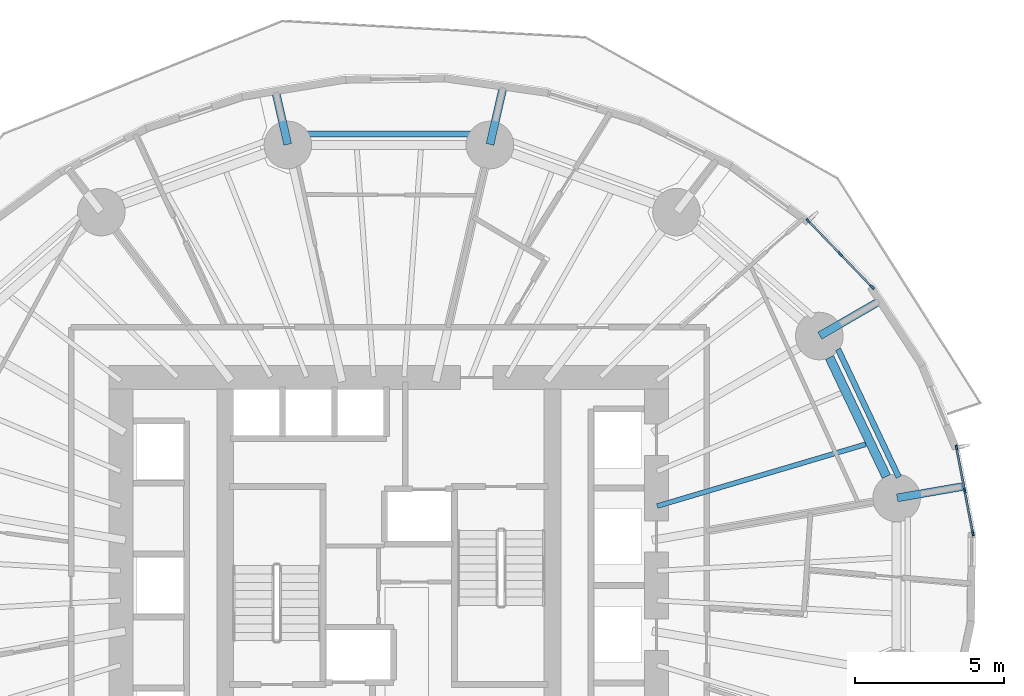
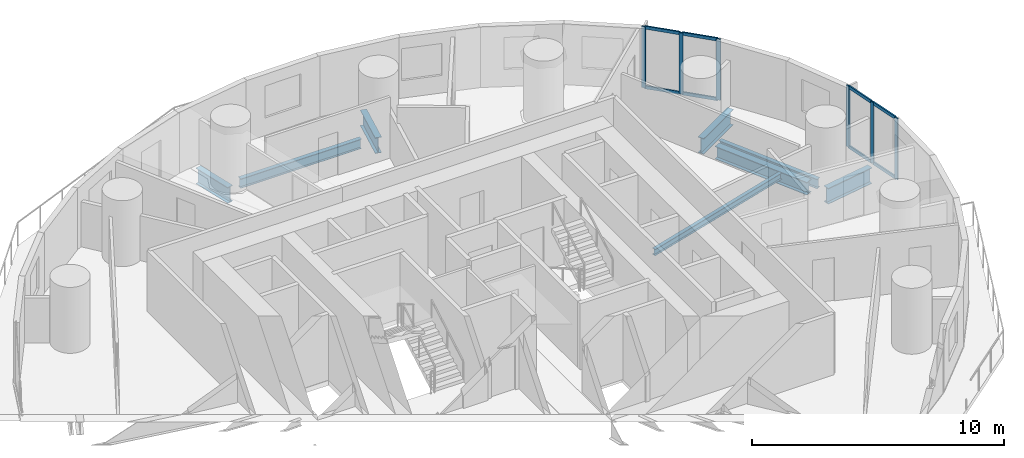
# One storey, part 5 of 14: 14 members, 8 beams, 2 elements without a shape of their own.
"""IFC4 building model written with IfcOpenShell, lengths in metres."""

from ifc_helpers import new_model, si_unit, direction, frame, origin, origin_2d, place, context, subcontext, project, spatial, rectangle, i_section, extrude, material, material_profile, profile_set, type_object, element, aggregate, save


model = new_model("IFC4")

# Units and contexts
model_context = context("Model", 3, precision=1e-05, world=origin(), true_north=direction((0.0, 1.0)))
body_context = subcontext(model_context, "Body", "Model", "MODEL_VIEW")
ifc_project = project(units=[si_unit("LENGTHUNIT", "METRE"), si_unit("AREAUNIT", "SQUARE_METRE"), si_unit("VOLUMEUNIT", "CUBIC_METRE"), si_unit("PLANEANGLEUNIT", "RADIAN"), si_unit("MASSUNIT", "GRAM", prefix="KILO")], contexts=[model_context])

# Site, building, storey
site_placement = place(None, origin())
site = spatial("IfcSite", under=ifc_project, at=site_placement, CompositionType="ELEMENT")
building_placement = place(site_placement, origin())
building = spatial("IfcBuilding", under=site, at=building_placement, Name="Veldorim Arch Residences", CompositionType="ELEMENT")
storey_placement = place(building_placement, frame((0.0, 0.0, 28.0)))
storey = spatial("IfcBuildingStorey", under=building, at=storey_placement, Name="L07", CompositionType="ELEMENT", Elevation=28.0)

# Beams
ifc_material_1 = material(Name="Steel S355", Category="steel")
ifc_material_profile_1 = material_profile(ifc_material_1, i_section(OverallWidth=0.30712890625, OverallDepth=0.6201171875, WebThickness=0.01416015625, FlangeThickness=0.023681640625, at=origin_2d()), Name="UB610x305x179")
ifc_profile_set_1 = profile_set([ifc_material_profile_1], Name="Steel S355")
beam_type_1 = type_object("IfcBeamType", Name="Structural Steel Beam UB610x305x179", PredefinedType="BEAM", material=ifc_profile_set_1)
beam_1_placement = place(storey_placement, frame((48.72119140625, 27.66796875, -0.550048828125), z_axis=(-0.430786696724, 0.902453778276, 0.0), x_axis=(-0.902453778276, -0.430786696724, 0.0)))
element("IfcBeam", 1, at=beam_1_placement, inside=storey, type_object=beam_type_1, Name="L07 perimeter ring tie beam 01", PredefinedType="BEAM", context=body_context, shape_type="SweptSolid", body=[
    extrude(i_section(OverallWidth=0.30712890625, OverallDepth=0.6201171875, WebThickness=0.01416015625, FlangeThickness=0.023681640625, at=origin_2d()), origin(), (0.0, 0.0, 1.0), 4.431396484375),
])
ifc_material_2 = material(Name="Steel S355", Category="steel")
ifc_material_profile_2 = material_profile(ifc_material_2, i_section(OverallWidth=0.26806640625, OverallDepth=0.769775390625, WebThickness=0.015625, FlangeThickness=0.025390625, at=origin_2d()), Name="UB762x267x197")
ifc_profile_set_2 = profile_set([ifc_material_profile_2], Name="Steel S355")
beam_type_2 = type_object("IfcBeamType", Name="Structural Steel GIRDER UB762x267x197", PredefinedType="USERDEFINED", material=ifc_profile_set_2)
beam_2_placement = place(storey_placement, frame((49.08544921875, 26.94921875, -0.625), z_axis=(0.985412784753, 0.17018120826, 0.0), x_axis=(-0.17018120826, 0.985412784753, 0.0)))
element("IfcBeam", 2, at=beam_2_placement, inside=storey, type_object=beam_type_2, Name="L07 radial edge cantilever girder 01", ObjectType="GIRDER", PredefinedType="USERDEFINED", context=body_context, shape_type="SweptSolid", body=[
    extrude(i_section(OverallWidth=0.26806640625, OverallDepth=0.769775390625, WebThickness=0.015625, FlangeThickness=0.025390625, at=origin_2d()), origin(), (0.0, 0.0, 1.0), 2.26513671875),
])
beam_3_placement = place(storey_placement, frame((46.48486328125, 32.399169921875, -0.625), z_axis=(0.865088627534, 0.501619045203, 0.0), x_axis=(-0.501619045203, 0.865088627534, 0.0)))
element("IfcBeam", 3, at=beam_3_placement, inside=storey, type_object=beam_type_2, Name="L07 radial edge cantilever girder 02", ObjectType="GIRDER", PredefinedType="USERDEFINED", context=body_context, shape_type="SweptSolid", body=[
    extrude(i_section(OverallWidth=0.26806640625, OverallDepth=0.769775390625, WebThickness=0.015625, FlangeThickness=0.025390625, at=origin_2d()), origin(), (0.0, 0.0, 1.0), 2.361083984375),
])
beam_4_placement = place(storey_placement, frame((35.399169921875, 38.829345703125, -0.625), z_axis=(0.223397633351, 0.974727396462, 0.0), x_axis=(-0.974727396462, 0.223397633351, 0.0)))
element("IfcBeam", 4, at=beam_4_placement, inside=storey, type_object=beam_type_2, Name="L07 radial edge cantilever girder 04", ObjectType="GIRDER", PredefinedType="USERDEFINED", context=body_context, shape_type="SweptSolid", body=[
    extrude(i_section(OverallWidth=0.26806640625, OverallDepth=0.769775390625, WebThickness=0.015625, FlangeThickness=0.025390625, at=origin_2d()), origin(), (0.0, 0.0, 1.0), 2.025146484375),
])
beam_5_placement = place(storey_placement, frame((28.600830078125, 38.829345703125, -0.625), z_axis=(-0.22337098514, 0.974733503578, 0.0), x_axis=(-0.974733503578, -0.22337098514, 0.0)))
element("IfcBeam", 5, at=beam_5_placement, inside=storey, type_object=beam_type_2, Name="L07 radial edge cantilever girder 05", ObjectType="GIRDER", PredefinedType="USERDEFINED", context=body_context, shape_type="SweptSolid", body=[
    extrude(i_section(OverallWidth=0.26806640625, OverallDepth=0.769775390625, WebThickness=0.015625, FlangeThickness=0.025390625, at=origin_2d()), origin(), (0.0, 0.0, 1.0), 1.868896484375),
])
ifc_material_3 = material(Name="Steel S355", Category="steel")
ifc_material_profile_3 = material_profile(ifc_material_3, i_section(OverallWidth=0.165771484375, OverallDepth=0.306640625, WebThickness=0.006591796875, FlangeThickness=0.01171875, at=origin_2d()), Name="UB305x165x46")
ifc_profile_set_3 = profile_set([ifc_material_profile_3], Name="Steel S355")
beam_type_3 = type_object("IfcBeamType", Name="Structural Steel Joist UB305x165x46", PredefinedType="JOIST", material=ifc_profile_set_3)
beam_6_placement = place(storey_placement, frame((41.019287109375, 26.67333984375, -0.393310546875), z_axis=(0.958766778771, 0.284194060325, 0.0), x_axis=(-0.284194060325, 0.958766778771, 0.0)))
element("IfcBeam", 6, at=beam_6_placement, inside=storey, type_object=beam_type_3, Name="L07 secondary radial floor joist 01-1", PredefinedType="JOIST", context=body_context, shape_type="SweptSolid", body=[
    extrude(i_section(OverallWidth=0.165771484375, OverallDepth=0.306640625, WebThickness=0.006591796875, FlangeThickness=0.01171875, at=origin_2d()), origin(), (0.0, 0.0, 1.0), 7.3115234375),
])
ifc_material_4 = material(Name="Steel S355", Category="steel")
ifc_material_profile_4 = material_profile(ifc_material_4, i_section(OverallWidth=0.19140625, OverallDepth=0.4599609375, WebThickness=0.010009765625, FlangeThickness=0.01611328125, at=origin_2d()), Name="UB457x191x82")
ifc_profile_set_4 = profile_set([ifc_material_profile_4], Name="Steel S355")
beam_type_4 = type_object("IfcBeamType", Name="Structural Steel Spandrel UB457x191x82", PredefinedType="SPANDREL", material=ifc_profile_set_4)
beam_7_placement = place(storey_placement, frame((49.13818359375, 27.646484375, -0.489990234375), z_axis=(-0.42886940858, 0.903366498374, 0.0), x_axis=(-0.903366498374, -0.42886940858, 0.0)))
element("IfcBeam", 7, at=beam_7_placement, inside=storey, type_object=beam_type_4, Name="L07 perimeter chord spandrel beam 01", PredefinedType="SPANDREL", context=body_context, shape_type="SweptSolid", body=[
    extrude(i_section(OverallWidth=0.19140625, OverallDepth=0.4599609375, WebThickness=0.010009765625, FlangeThickness=0.01611328125, at=origin_2d()), origin(), (0.0, 0.0, 1.0), 4.7568359375),
])
beam_8_placement = place(storey_placement, frame((34.775390625, 39.180419921875, -0.489990234375), z_axis=(-1.0, 0.0, 0.0), x_axis=(0.0, -1.0, 0.0)))
element("IfcBeam", 8, at=beam_8_placement, inside=storey, type_object=beam_type_4, Name="L07 perimeter chord spandrel beam 04", PredefinedType="SPANDREL", context=body_context, shape_type="SweptSolid", body=[
    extrude(i_section(OverallWidth=0.19140625, OverallDepth=0.4599609375, WebThickness=0.010009765625, FlangeThickness=0.01611328125, at=origin_2d()), origin(), (0.0, 0.0, 1.0), 5.55078125),
])

# Curtain wall, members
ifc_material_5 = material(Name="Aluminium", Category="aluminium")
curtain_wall_type = type_object("IfcCurtainWallType", Name="Zone 1 Acoustic Low-E Unitised Curtain Wall", PredefinedType="NOTDEFINED", material=ifc_material_5)
curtain_wall_1_placement = place(storey_placement, origin())
curtain_wall_1 = element("IfcCurtainWall", 9, at=curtain_wall_1_placement, inside=storey, type_object=curtain_wall_type, Name="L07 unitised curtain wall bay 01", PredefinedType="NOTDEFINED")
ifc_material_6 = material(Name="Aluminium", Category="aluminium")
ifc_material_profile_5 = material_profile(ifc_material_6, rectangle(XDim=0.06494140625, YDim=0.175048828125, at=origin_2d()), Name="ALU_MUL_65x175")
ifc_profile_set_5 = profile_set([ifc_material_profile_5], Name="Aluminium")
member_type_1 = type_object("IfcMemberType", Name="Zone 1 Acoustic Low-E Unitised Curtain Wall Mullion 65x175", PredefinedType="MULLION", material=ifc_profile_set_5)
member_1_placement = place(storey_placement, frame((51.0791015625, 28.639404296875, 0.0), z_axis=(0.0, 0.0, 1.0), x_axis=(0.982317566124, 0.187222325819, 0.0)))
member_1 = element("IfcMember", 10, at=member_1_placement, type_object=member_type_1, Name="CW-Z1 mullion 1", PredefinedType="MULLION", context=body_context, shape_type="SweptSolid", body=[
    extrude(rectangle(XDim=0.06494140625, YDim=0.175048828125, at=origin_2d()), origin(), (0.0, 0.0, 1.0), 2.9599609375),
])
member_2_placement = place(storey_placement, frame((51.35400390625, 27.197021484375, 0.0), z_axis=(0.0, 0.0, 1.0), x_axis=(0.982317566124, 0.187222325819, 0.0)))
member_2 = element("IfcMember", 11, at=member_2_placement, type_object=member_type_1, Name="CW-Z1 mullion 2", PredefinedType="MULLION", context=body_context, shape_type="SweptSolid", body=[
    extrude(rectangle(XDim=0.06494140625, YDim=0.175048828125, at=origin_2d()), origin(), (0.0, 0.0, 1.0), 2.9599609375),
])
member_3_placement = place(storey_placement, frame((51.62890625, 25.754638671875, 0.0), z_axis=(0.0, 0.0, 1.0), x_axis=(0.982317566124, 0.187222325819, 0.0)))
member_3 = element("IfcMember", 12, at=member_3_placement, type_object=member_type_1, Name="CW-Z1 mullion 3", PredefinedType="MULLION", context=body_context, shape_type="SweptSolid", body=[
    extrude(rectangle(XDim=0.06494140625, YDim=0.175048828125, at=origin_2d()), origin(), (0.0, 0.0, 1.0), 2.9599609375),
])

curtain_wall_2_placement = place(storey_placement, origin())
curtain_wall_2 = element("IfcCurtainWall", 13, at=curtain_wall_2_placement, inside=storey, type_object=curtain_wall_type, Name="L07 unitised curtain wall bay 04", PredefinedType="NOTDEFINED")
member_4_placement = place(storey_placement, frame((46.095458984375, 36.259765625, 0.0), z_axis=(0.0, 0.0, 1.0), x_axis=(0.720420523139, 0.693537504278, 0.0)))
member_4 = element("IfcMember", 14, at=member_4_placement, type_object=member_type_1, Name="CW-Z1 mullion 1", PredefinedType="MULLION", context=body_context, shape_type="SweptSolid", body=[
    extrude(rectangle(XDim=0.06494140625, YDim=0.175048828125, at=origin_2d()), origin(), (0.0, 0.0, 1.0), 2.9599609375),
])
member_5_placement = place(storey_placement, frame((47.166748046875, 35.14697265625, 0.0), z_axis=(0.0, 0.0, 1.0), x_axis=(0.720420523139, 0.693537504278, 0.0)))
member_5 = element("IfcMember", 15, at=member_5_placement, type_object=member_type_1, Name="CW-Z1 mullion 2", PredefinedType="MULLION", context=body_context, shape_type="SweptSolid", body=[
    extrude(rectangle(XDim=0.06494140625, YDim=0.175048828125, at=origin_2d()), origin(), (0.0, 0.0, 1.0), 2.9599609375),
])
member_6_placement = place(storey_placement, frame((48.23828125, 34.0341796875, 0.0), z_axis=(0.0, 0.0, 1.0), x_axis=(0.720420523139, 0.693537504278, 0.0)))
member_6 = element("IfcMember", 16, at=member_6_placement, type_object=member_type_1, Name="CW-Z1 mullion 3", PredefinedType="MULLION", context=body_context, shape_type="SweptSolid", body=[
    extrude(rectangle(XDim=0.06494140625, YDim=0.175048828125, at=origin_2d()), origin(), (0.0, 0.0, 1.0), 2.9599609375),
])

# Member
ifc_material_7 = material(Name="Aluminium", Category="aluminium")
ifc_material_profile_6 = material_profile(ifc_material_7, rectangle(XDim=0.06494140625, YDim=0.14990234375, at=origin_2d()), Name="ALU_TRN_65x150")
ifc_profile_set_6 = profile_set([ifc_material_profile_6], Name="Aluminium")
member_type_2 = type_object("IfcMemberType", Name="Zone 1 Acoustic Low-E Unitised Curtain Wall Transom 65x150", PredefinedType="USERDEFINED", material=ifc_profile_set_6)
member_7_placement = place(storey_placement, frame((51.085205078125, 28.607421875, 0.032470703125), z_axis=(0.187176056103, -0.982326383654, 0.0), x_axis=(0.982326383654, 0.187176056103, 0.0)))
member_7 = element("IfcMember", 17, at=member_7_placement, type_object=member_type_2, Name="CW-Z1 transom 1.1", ObjectType="TRANSOM", PredefinedType="USERDEFINED", context=body_context, shape_type="SweptSolid", body=[
    extrude(rectangle(XDim=0.06494140625, YDim=0.14990234375, at=origin_2d()), origin(), (0.0, 0.0, 1.0), 1.403564453125),
])

member_8_placement = place(storey_placement, frame((51.085205078125, 28.607421875, 2.927490234375), z_axis=(0.187176056103, -0.982326383654, 0.0), x_axis=(0.982326383654, 0.187176056103, 0.0)))
member_8 = element("IfcMember", 18, at=member_8_placement, type_object=member_type_2, Name="CW-Z1 transom 1.2", ObjectType="TRANSOM", PredefinedType="USERDEFINED", context=body_context, shape_type="SweptSolid", body=[
    extrude(rectangle(XDim=0.06494140625, YDim=0.14990234375, at=origin_2d()), origin(), (0.0, 0.0, 1.0), 1.403564453125),
])

member_9_placement = place(storey_placement, frame((51.360107421875, 27.1650390625, 0.032470703125), z_axis=(0.187176056103, -0.982326383654, 0.0), x_axis=(0.982326383654, 0.187176056103, 0.0)))
member_9 = element("IfcMember", 19, at=member_9_placement, type_object=member_type_2, Name="CW-Z1 transom 2.1", ObjectType="TRANSOM", PredefinedType="USERDEFINED", context=body_context, shape_type="SweptSolid", body=[
    extrude(rectangle(XDim=0.06494140625, YDim=0.14990234375, at=origin_2d()), origin(), (0.0, 0.0, 1.0), 1.403564453125),
])

member_10_placement = place(storey_placement, frame((51.360107421875, 27.1650390625, 2.927490234375), z_axis=(0.187176056103, -0.982326383654, 0.0), x_axis=(0.982326383654, 0.187176056103, 0.0)))
member_10 = element("IfcMember", 20, at=member_10_placement, type_object=member_type_2, Name="CW-Z1 transom 2.2", ObjectType="TRANSOM", PredefinedType="USERDEFINED", context=body_context, shape_type="SweptSolid", body=[
    extrude(rectangle(XDim=0.06494140625, YDim=0.14990234375, at=origin_2d()), origin(), (0.0, 0.0, 1.0), 1.403564453125),
])

aggregate(curtain_wall_1, [member_1, member_2, member_3, member_7, member_8, member_9, member_10])

member_11_placement = place(storey_placement, frame((46.1181640625, 36.236572265625, 0.032470703125), z_axis=(0.693448255171, -0.7205064312, 0.0), x_axis=(0.7205064312, 0.693448255171, 0.0)))
member_11 = element("IfcMember", 21, at=member_11_placement, type_object=member_type_2, Name="CW-Z1 transom 1.1", ObjectType="TRANSOM", PredefinedType="USERDEFINED", context=body_context, shape_type="SweptSolid", body=[
    extrude(rectangle(XDim=0.06494140625, YDim=0.14990234375, at=origin_2d()), origin(), (0.0, 0.0, 1.0), 1.479736328125),
])

member_12_placement = place(storey_placement, frame((46.1181640625, 36.236572265625, 2.927490234375), z_axis=(0.693448255171, -0.7205064312, 0.0), x_axis=(0.7205064312, 0.693448255171, 0.0)))
member_12 = element("IfcMember", 22, at=member_12_placement, type_object=member_type_2, Name="CW-Z1 transom 1.2", ObjectType="TRANSOM", PredefinedType="USERDEFINED", context=body_context, shape_type="SweptSolid", body=[
    extrude(rectangle(XDim=0.06494140625, YDim=0.14990234375, at=origin_2d()), origin(), (0.0, 0.0, 1.0), 1.479736328125),
])

member_13_placement = place(storey_placement, frame((47.189453125, 35.12353515625, 0.032470703125), z_axis=(0.693530694473, -0.720427078769, 0.0), x_axis=(0.720427078769, 0.693530694473, 0.0)))
member_13 = element("IfcMember", 23, at=member_13_placement, type_object=member_type_2, Name="CW-Z1 transom 2.1", ObjectType="TRANSOM", PredefinedType="USERDEFINED", context=body_context, shape_type="SweptSolid", body=[
    extrude(rectangle(XDim=0.06494140625, YDim=0.14990234375, at=origin_2d()), origin(), (0.0, 0.0, 1.0), 1.4794921875),
])

member_14_placement = place(storey_placement, frame((47.189453125, 35.12353515625, 2.927490234375), z_axis=(0.693530694473, -0.720427078769, 0.0), x_axis=(0.720427078769, 0.693530694473, 0.0)))
member_14 = element("IfcMember", 24, at=member_14_placement, type_object=member_type_2, Name="CW-Z1 transom 2.2", ObjectType="TRANSOM", PredefinedType="USERDEFINED", context=body_context, shape_type="SweptSolid", body=[
    extrude(rectangle(XDim=0.06494140625, YDim=0.14990234375, at=origin_2d()), origin(), (0.0, 0.0, 1.0), 1.4794921875),
])

aggregate(curtain_wall_2, [member_4, member_5, member_6, member_11, member_12, member_13, member_14])

save(model, "model.ifc")
